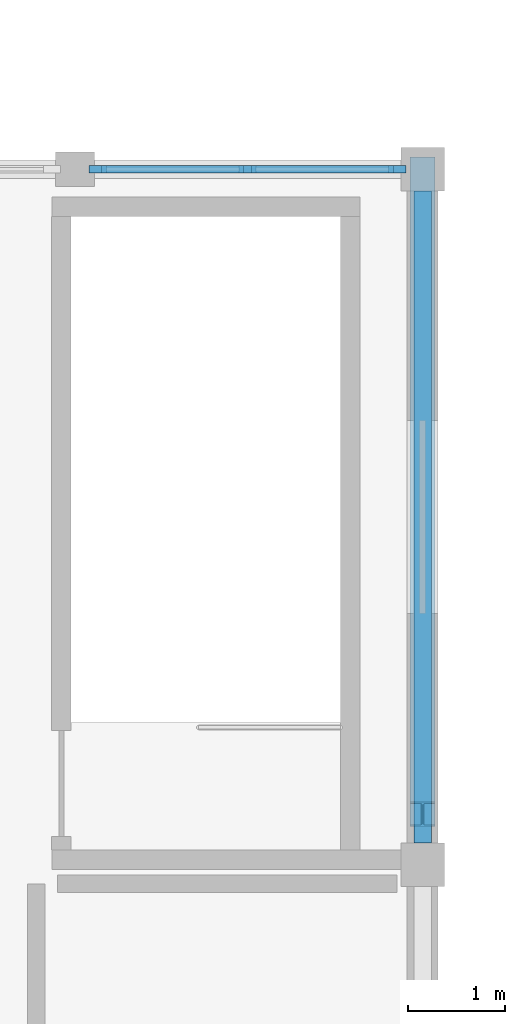
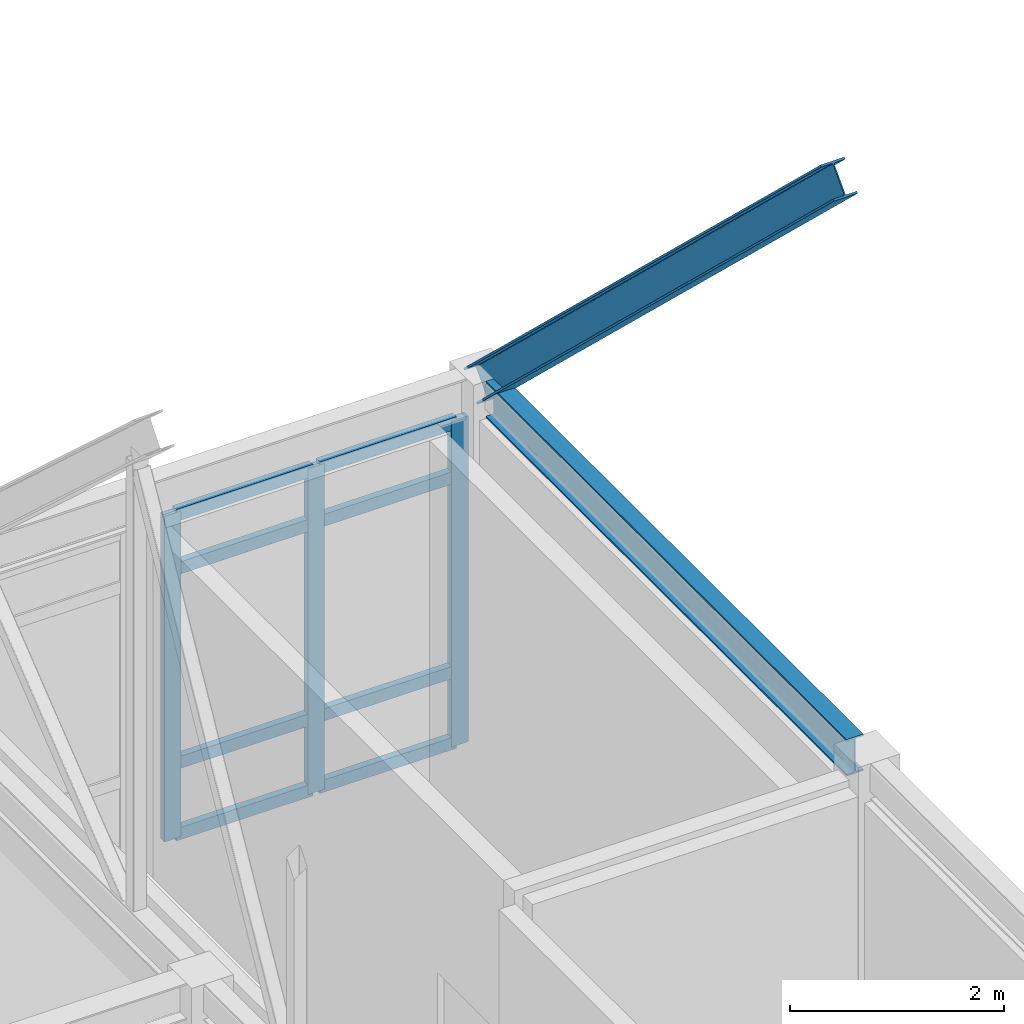
# One storey, part 50 of 136: 12 members, 1 beam, 1 element without a shape of its own.
"""IFC4 building model written with IfcOpenShell, lengths in metres."""

from ifc_helpers import new_model, si_unit, direction, frame, origin, origin_2d, place, context, subcontext, project, spatial, rectangle, i_section, extrude, material, layer, layer_set, material_profile, profile_set, type_object, element, aggregate, save


model = new_model("IFC4")

# Units and contexts
model_context = context("Model", 3, precision=1e-05, world=origin(), true_north=direction((0.0, 1.0)))
body_context = subcontext(model_context, "Body", "Model", "MODEL_VIEW")
ifc_project = project(units=[si_unit("LENGTHUNIT", "METRE"), si_unit("AREAUNIT", "SQUARE_METRE"), si_unit("VOLUMEUNIT", "CUBIC_METRE"), si_unit("PLANEANGLEUNIT", "RADIAN"), si_unit("MASSUNIT", "GRAM", prefix="KILO")], contexts=[model_context])

# Site, building, storey
site_placement = place(None, origin())
site = spatial("IfcSite", under=ifc_project, at=site_placement, CompositionType="ELEMENT")
building_placement = place(site_placement, origin())
building = spatial("IfcBuilding", under=site, at=building_placement, Name="Koriwan Promenade Central Fire Station", CompositionType="ELEMENT")
storey_placement = place(building_placement, frame((0.0, 0.0, 5.39990234375)))
storey = spatial("IfcBuildingStorey", under=building, at=storey_placement, Name="L01", CompositionType="ELEMENT", Elevation=5.39990234375)

# Curtain wall, members
ifc_material_1 = material(Name="Aluminium EN AW-6063-T6 and low-E glazing", Category="aluminium")
ifc_layer = layer(ifc_material_1, 0.159912109375, Name="Aluminium EN AW-6063-T6 and low-E glazing")
ifc_layer_set = layer_set([ifc_layer], Name="Aluminium EN AW-6063-T6 and low-E glazing")
curtain_wall_type = type_object("IfcCurtainWallType", Name="CurtainWall_01_317x372", PredefinedType="USERDEFINED", material=ifc_layer_set)
curtain_wall_placement = place(storey_placement, origin())
curtain_wall = element("IfcCurtainWall", 1, at=curtain_wall_placement, inside=storey, type_object=curtain_wall_type, Name="V1 L01 unitised curtain wall 008", ObjectType="UNITISED CURTAIN WALL", PredefinedType="USERDEFINED")
ifc_material_2 = material(Name="Aluminium EN AW-6063-T6", Category="aluminium")
ifc_material_profile_1 = material_profile(ifc_material_2, rectangle(XDim=0.074951171875, YDim=0.179931640625, at=origin_2d()), Name="ALU-MUL-75x180")
ifc_profile_set_1 = profile_set([ifc_material_profile_1], Name="Aluminium EN AW-6063-T6")
member_type_1 = type_object("IfcMemberType", Name="CWMullion_ALU-MUL-75x180", PredefinedType="MULLION", material=ifc_profile_set_1)
member_1_placement = place(storey_placement, frame((111.83740234375, 72.0, 0.0), z_axis=(0.0, 0.0, 1.0), x_axis=(0.0, 1.0, 0.0)))
member_1 = element("IfcMember", 2, at=member_1_placement, type_object=member_type_1, Name="CW-01 mullion 1", PredefinedType="MULLION", context=body_context, shape_type="SweptSolid", body=[
    extrude(rectangle(XDim=0.074951171875, YDim=0.179931640625, at=origin_2d()), origin(), (0.0, 0.0, 1.0), 3.72119140625),
])
member_2_placement = place(storey_placement, frame((113.387451171875, 72.0, 0.0), z_axis=(0.0, 0.0, 1.0), x_axis=(0.0, 1.0, 0.0)))
member_2 = element("IfcMember", 3, at=member_2_placement, type_object=member_type_1, Name="CW-01 mullion 2", PredefinedType="MULLION", context=body_context, shape_type="SweptSolid", body=[
    extrude(rectangle(XDim=0.074951171875, YDim=0.179931640625, at=origin_2d()), origin(), (0.0, 0.0, 1.0), 3.72119140625),
])
member_3_placement = place(storey_placement, frame((114.9375, 72.0, 0.0), z_axis=(0.0, 0.0, 1.0), x_axis=(0.0, 1.0, 0.0)))
member_3 = element("IfcMember", 4, at=member_3_placement, type_object=member_type_1, Name="CW-01 mullion 3", PredefinedType="MULLION", context=body_context, shape_type="SweptSolid", body=[
    extrude(rectangle(XDim=0.074951171875, YDim=0.179931640625, at=origin_2d()), origin(), (0.0, 0.0, 1.0), 3.72119140625),
])
ifc_material_profile_2 = material_profile(ifc_material_2, rectangle(XDim=0.074951171875, YDim=0.139892578125, at=origin_2d()), Name="ALU-TRN-75x140")
ifc_profile_set_2 = profile_set([ifc_material_profile_2], Name="Aluminium EN AW-6063-T6")
member_type_2 = type_object("IfcMemberType", Name="CWTransom_ALU-TRN-75x140", PredefinedType="USERDEFINED", material=ifc_profile_set_2)
member_4_placement = place(storey_placement, frame((111.875, 72.0, 0.03759765625), z_axis=(1.0, 0.0, 0.0), x_axis=(0.0, 1.0, 0.0)))
member_4 = element("IfcMember", 5, at=member_4_placement, type_object=member_type_2, Name="CW-01 transom 1.1", ObjectType="TRANSOM", PredefinedType="USERDEFINED", context=body_context, shape_type="SweptSolid", body=[
    extrude(rectangle(XDim=0.074951171875, YDim=0.139892578125, at=origin_2d()), origin(), (0.0, 0.0, 1.0), 1.47509765625),
])
member_5_placement = place(storey_placement, frame((111.875, 72.0, 0.85009765625), z_axis=(1.0, 0.0, 0.0), x_axis=(0.0, 1.0, 0.0)))
member_5 = element("IfcMember", 6, at=member_5_placement, type_object=member_type_2, Name="CW-01 transom 1.2", ObjectType="TRANSOM", PredefinedType="USERDEFINED", context=body_context, shape_type="SweptSolid", body=[
    extrude(rectangle(XDim=0.074951171875, YDim=0.139892578125, at=origin_2d()), origin(), (0.0, 0.0, 1.0), 1.47509765625),
])
member_6_placement = place(storey_placement, frame((111.875, 72.0, 3.071044921875), z_axis=(1.0, 0.0, 0.0), x_axis=(0.0, 1.0, 0.0)))
member_6 = element("IfcMember", 7, at=member_6_placement, type_object=member_type_2, Name="CW-01 transom 1.3", ObjectType="TRANSOM", PredefinedType="USERDEFINED", context=body_context, shape_type="SweptSolid", body=[
    extrude(rectangle(XDim=0.074951171875, YDim=0.139892578125, at=origin_2d()), origin(), (0.0, 0.0, 1.0), 1.47509765625),
])
member_7_placement = place(storey_placement, frame((111.875, 72.0, 3.68359375), z_axis=(1.0, 0.0, 0.0), x_axis=(0.0, 1.0, 0.0)))
member_7 = element("IfcMember", 8, at=member_7_placement, type_object=member_type_2, Name="CW-01 transom 1.4", ObjectType="TRANSOM", PredefinedType="USERDEFINED", context=body_context, shape_type="SweptSolid", body=[
    extrude(rectangle(XDim=0.074951171875, YDim=0.139892578125, at=origin_2d()), origin(), (0.0, 0.0, 1.0), 1.47509765625),
])
member_8_placement = place(storey_placement, frame((113.425048828125, 72.0, 0.03759765625), z_axis=(1.0, 0.0, 0.0), x_axis=(0.0, 1.0, 0.0)))
member_8 = element("IfcMember", 9, at=member_8_placement, type_object=member_type_2, Name="CW-01 transom 2.1", ObjectType="TRANSOM", PredefinedType="USERDEFINED", context=body_context, shape_type="SweptSolid", body=[
    extrude(rectangle(XDim=0.074951171875, YDim=0.139892578125, at=origin_2d()), origin(), (0.0, 0.0, 1.0), 1.474853515625),
])
member_9_placement = place(storey_placement, frame((113.425048828125, 72.0, 0.85009765625), z_axis=(1.0, 0.0, 0.0), x_axis=(0.0, 1.0, 0.0)))
member_9 = element("IfcMember", 10, at=member_9_placement, type_object=member_type_2, Name="CW-01 transom 2.2", ObjectType="TRANSOM", PredefinedType="USERDEFINED", context=body_context, shape_type="SweptSolid", body=[
    extrude(rectangle(XDim=0.074951171875, YDim=0.139892578125, at=origin_2d()), origin(), (0.0, 0.0, 1.0), 1.474853515625),
])
member_10_placement = place(storey_placement, frame((113.425048828125, 72.0, 3.071044921875), z_axis=(1.0, 0.0, 0.0), x_axis=(0.0, 1.0, 0.0)))
member_10 = element("IfcMember", 11, at=member_10_placement, type_object=member_type_2, Name="CW-01 transom 2.3", ObjectType="TRANSOM", PredefinedType="USERDEFINED", context=body_context, shape_type="SweptSolid", body=[
    extrude(rectangle(XDim=0.074951171875, YDim=0.139892578125, at=origin_2d()), origin(), (0.0, 0.0, 1.0), 1.474853515625),
])
member_11_placement = place(storey_placement, frame((113.425048828125, 72.0, 3.68359375), z_axis=(1.0, 0.0, 0.0), x_axis=(0.0, 1.0, 0.0)))
member_11 = element("IfcMember", 12, at=member_11_placement, type_object=member_type_2, Name="CW-01 transom 2.4", ObjectType="TRANSOM", PredefinedType="USERDEFINED", context=body_context, shape_type="SweptSolid", body=[
    extrude(rectangle(XDim=0.074951171875, YDim=0.139892578125, at=origin_2d()), origin(), (0.0, 0.0, 1.0), 1.474853515625),
])
aggregate(curtain_wall, [member_1, member_2, member_3, member_4, member_5, member_6, member_7, member_8, member_9, member_10, member_11])

# Member
ifc_material_3 = material(Name="Steel ASTM A992 Grade 50", Category="steel")
ifc_material_profile_3 = material_profile(ifc_material_3, i_section(OverallWidth=0.257080078125, OverallDepth=0.363037109375, WebThickness=0.012939453125, FlangeThickness=0.021728515625, FilletRadius=0.014892578125, at=origin_2d()), Name="W360x122")
ifc_profile_set_3 = profile_set([ifc_material_profile_3], Name="Steel ASTM A992 Grade 50")
member_type_3 = type_object("IfcMemberType", Name="Member_CHORD_W360x122", PredefinedType="CHORD", material=ifc_profile_set_3)
member_12_placement = place(storey_placement, frame((115.199951171875, 65.32177734375, 10.389892578125), z_axis=(0.0, 0.723614939683, -0.690203896734), x_axis=(-1.0, 0.0, 0.0)))
element("IfcMember", 13, at=member_12_placement, inside=storey, type_object=member_type_3, Name="V1 end portal north rafter (115.2)", PredefinedType="CHORD", context=body_context, shape_type="SweptSolid", body=[
    extrude(i_section(OverallWidth=0.257080078125, OverallDepth=0.363037109375, WebThickness=0.012939453125, FlangeThickness=0.021728515625, FilletRadius=0.014892578125, at=origin_2d()), origin(), (0.0, 0.0, 1.0), 9.22900390625),
])

# Beam
ifc_material_profile_4 = material_profile(ifc_material_3, i_section(OverallWidth=0.180908203125, OverallDepth=0.4169921875, WebThickness=0.010986328125, FlangeThickness=0.018310546875, FilletRadius=0.01611328125, at=origin_2d()), Name="W410x85")
ifc_profile_set_4 = profile_set([ifc_material_profile_4], Name="Steel ASTM A992 Grade 50")
beam_type = type_object("IfcBeamType", Name="SteelBeam_W410x85", PredefinedType="BEAM", material=ifc_profile_set_4)
beam_placement = place(storey_placement, frame((115.199951171875, 65.02490234375, 3.99169921875), z_axis=(0.0, 1.0, 0.0), x_axis=(-1.0, 0.0, 0.0)))
element("IfcBeam", 14, at=beam_placement, inside=storey, type_object=beam_type, Name="V1 L01 girder Y-81", PredefinedType="BEAM", context=body_context, shape_type="SweptSolid", body=[
    extrude(i_section(OverallWidth=0.180908203125, OverallDepth=0.4169921875, WebThickness=0.010986328125, FlangeThickness=0.018310546875, FilletRadius=0.01611328125, at=origin_2d()), origin(), (0.0, 0.0, 1.0), 6.75),
])

save(model, "model.ifc")
